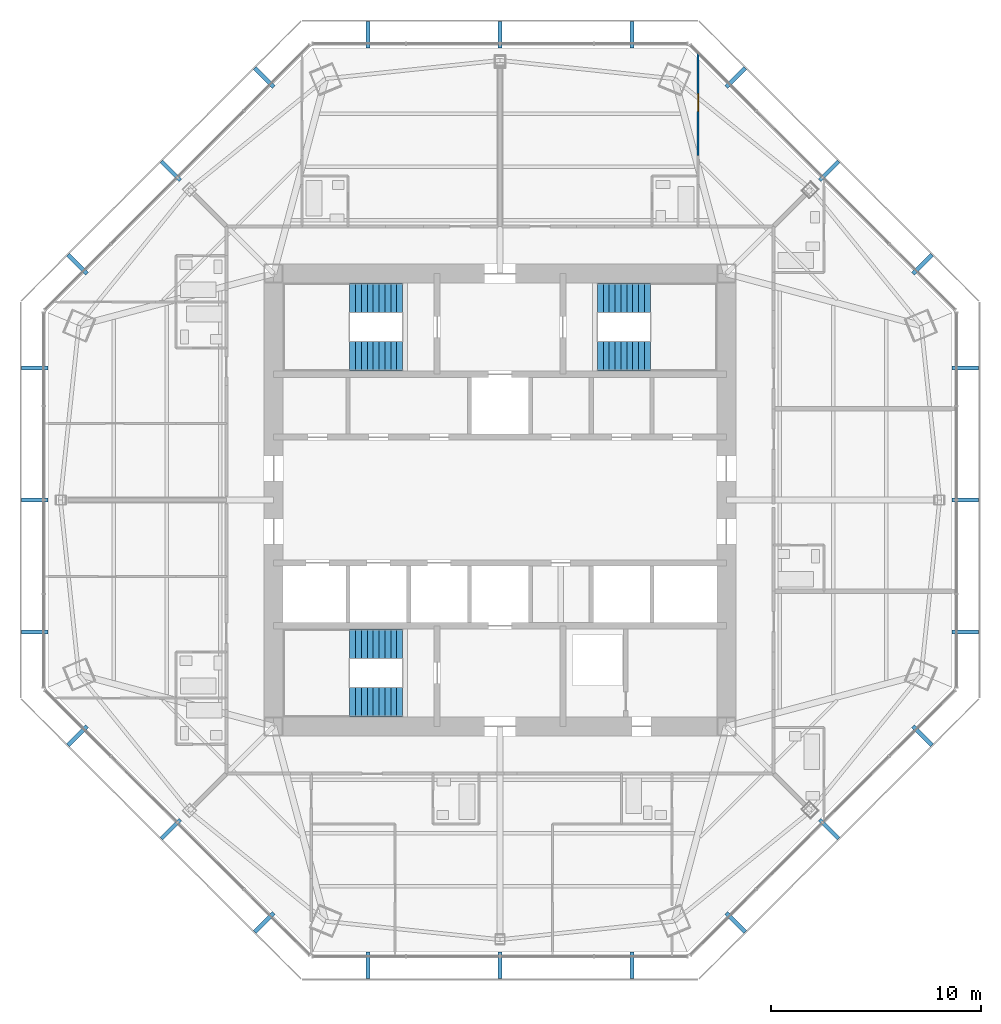
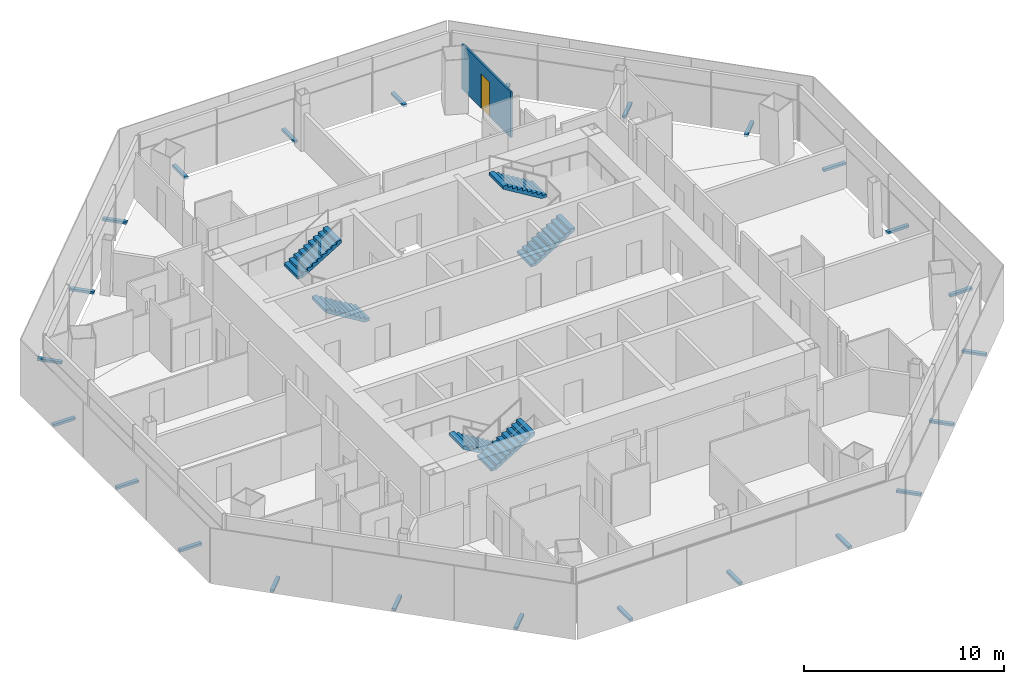
# One storey, part 13 of 15: 24 discrete accessories, 6 stair flights, 1 door, 1 wall, 1 opening, 3 elements without a shape of their own.
"""IFC4 building model written with IfcOpenShell, lengths in metres."""

from ifc_helpers import new_model, si_unit, direction, frame, frame_2d, origin, origin_2d, place, context, subcontext, project, spatial, polyline, rectangle, outline, extrude, source, transform, mapped, material, layer, layer_set, type_object, type_shapes, element, fill, aggregate, save


model = new_model("IFC4")

# Units and contexts
model_context = context("Model", 3, precision=1e-05, world=origin(), true_north=direction((0.0, 1.0)))
body_context = subcontext(model_context, "Body", "Model", "MODEL_VIEW")
ifc_project = project(units=[si_unit("LENGTHUNIT", "METRE"), si_unit("AREAUNIT", "SQUARE_METRE"), si_unit("VOLUMEUNIT", "CUBIC_METRE"), si_unit("PLANEANGLEUNIT", "RADIAN"), si_unit("MASSUNIT", "GRAM", prefix="KILO")], contexts=[model_context])

# Site, building, storey
site_placement = place(None, origin())
site = spatial("IfcSite", under=ifc_project, at=site_placement, CompositionType="ELEMENT")
building_placement = place(site_placement, origin())
building = spatial("IfcBuilding", under=site, at=building_placement, Name="Mashrafa Tower", CompositionType="ELEMENT")
storey_placement = place(building_placement, frame((0.0, 0.0, 221.0)))
storey = spatial("IfcBuildingStorey", under=building, at=storey_placement, Name="L51", CompositionType="ELEMENT", Elevation=221.0)

# Wall, opening, door
ifc_material_1 = material(Name="Gypsum board on steel studs", Category="steel")
ifc_layer = layer(ifc_material_1, 0.10009765625)
ifc_layer_set = layer_set([ifc_layer], Name="Partition 100")
wall_type = type_object("IfcWallType", Name="Partition 100", PredefinedType="PARTITIONING", material=ifc_layer_set)
wall_placement = place(storey_placement, frame((9.449951171875, 21.3056640625, 0.0), z_axis=(0.0, 0.0, 1.0), x_axis=(0.0, -1.0, 0.0)))
wall = element("IfcWall", 1, at=wall_placement, inside=storey, type_object=wall_type, Name="Partition wall L51-074", PredefinedType="PARTITIONING", context=body_context, shape_type="SweptSolid", body=[
    extrude(rectangle(XDim=4.885986328125, YDim=0.10009765625, at=frame_2d((2.44287109375, 0.0))), origin(), (0.0, 0.0, 1.0), 2.78369140625),
])
opening_placement = place(wall_placement, frame((1.9208984375, 0.0, 0.0)))
opening = element("IfcOpeningElement", 2, at=opening_placement, cuts=wall, Name="Opening 51.007", PredefinedType="OPENING", context=body_context, shape_type="SweptSolid", body=[
    extrude(rectangle(XDim=0.85009765625, YDim=2.10009765625, at=frame_2d((0.425048828125, 1.050048828125))), frame((0.0, 0.06005859375, 0.0), z_axis=(0.0, -1.0, 0.0), x_axis=(1.0, 0.0, 0.0)), (0.0, 0.0, 1.0), 0.1201171875),
])
ifc_material_2 = material(Name="Timber door", Category="wood")
door_type = type_object("IfcDoorType", Name="Bedroom door 850 x 2100", OperationType="USERDEFINED", PredefinedType="DOOR", material=ifc_material_2)
door_placement = place(opening_placement, origin())
door = element("IfcDoor", 3, at=door_placement, inside=storey, type_object=door_type, Name="Apartment 5104 Bedroom 1 door", OperationType="SINGLE_SWING_LEFT", OverallHeight=2.10009765625, OverallWidth=0.85009765625, PredefinedType="DOOR", context=body_context, shape_type="SweptSolid", body=[
    extrude(rectangle(XDim=0.85009765625, YDim=2.10009765625, at=frame_2d((0.425048828125, 1.050048828125))), frame((0.0, 0.02490234375, 0.0), z_axis=(0.0, -1.0, 0.0), x_axis=(1.0, 0.0, 0.0)), (0.0, 0.0, 1.0), 0.050048828125),
])
fill(opening, door)

# Stair, stair flights
ifc_material_3 = material(Name="Exit stair 1400")
stair_type = type_object("IfcStairType", Name="Exit stair 1400", PredefinedType="HALF_TURN_STAIR", material=ifc_material_3)
stair_1_placement = place(storey_placement, origin())
stair_1 = element("IfcStair", 4, at=stair_1_placement, inside=storey, type_object=stair_type, Name="Stair S1 L51", PredefinedType="HALF_TURN_STAIR")
ifc_material_4 = material(Name="Concrete C32/40", Category="concrete")
stair_flight_type = type_object("IfcStairFlightType", Name="Stair flight 1400", PredefinedType="STRAIGHT", material=ifc_material_4)
stair_flight_1_placement = place(storey_placement, frame((-4.64990234375, 6.85009765625, 0.0), z_axis=(0.0, 0.0, 1.0), x_axis=(-1.0, 0.0, 0.0)))
stair_flight_1 = element("IfcStairFlight", 5, at=stair_flight_1_placement, type_object=stair_flight_type, Name="S1 flight 1", NumberOfRisers=10, NumberOfTreads=9, PredefinedType="STRAIGHT", RiserHeight=0.17, TreadLength=0.28, context=body_context, shape_type="SweptSolid", body=[
    extrude(outline(polyline([(0.0, 0.0), (0.0, 0.169921875), (0.280029296875, 0.169921875), (0.280029296875, 0.340087890625), (0.56005859375, 0.340087890625), (0.56005859375, 0.510009765625), (0.840087890625, 0.510009765625), (0.840087890625, 0.679931640625), (1.1201171875, 0.679931640625), (1.1201171875, 0.85009765625), (1.39990234375, 0.85009765625), (1.39990234375, 1.02001953125), (1.679931640625, 1.02001953125), (1.679931640625, 1.18994140625), (1.9599609375, 1.18994140625), (1.9599609375, 1.360107421875), (2.239990234375, 1.360107421875), (2.239990234375, 1.530029296875), (2.52001953125, 1.530029296875), (2.52001953125, 1.699951171875), (2.52001953125, 1.354736328125), (0.288818359375, 0.0), (0.0, 0.0)])), frame((0.0, 0.699951171875, 0.0), z_axis=(0.0, -1.0, 0.0), x_axis=(1.0, 0.0, 0.0)), (0.0, 0.0, 1.0), 1.39990234375),
])
stair_flight_2_placement = place(storey_placement, frame((-7.169921875, 9.64990234375, 1.699951171875), z_axis=(0.0, 0.0, 1.0), x_axis=(1.0, 0.0, 0.0)))
stair_flight_2 = element("IfcStairFlight", 6, at=stair_flight_2_placement, type_object=stair_flight_type, Name="S1 flight 2", NumberOfRisers=10, NumberOfTreads=9, PredefinedType="STRAIGHT", RiserHeight=0.17, TreadLength=0.28, context=body_context, shape_type="SweptSolid", body=[
    extrude(outline(polyline([(0.0, 0.0), (0.0, 0.169921875), (0.280029296875, 0.169921875), (0.280029296875, 0.340087890625), (0.56005859375, 0.340087890625), (0.56005859375, 0.510009765625), (0.840087890625, 0.510009765625), (0.840087890625, 0.679931640625), (1.1201171875, 0.679931640625), (1.1201171875, 0.85009765625), (1.39990234375, 0.85009765625), (1.39990234375, 1.02001953125), (1.679931640625, 1.02001953125), (1.679931640625, 1.18994140625), (1.9599609375, 1.18994140625), (1.9599609375, 1.360107421875), (2.239990234375, 1.360107421875), (2.239990234375, 1.530029296875), (2.52001953125, 1.530029296875), (2.52001953125, 1.699951171875), (2.52001953125, 1.354736328125), (0.288818359375, 0.0), (0.0, 0.0)])), frame((0.0, 0.699951171875, 0.0), z_axis=(0.0, -1.0, 0.0), x_axis=(1.0, 0.0, 0.0)), (0.0, 0.0, 1.0), 1.39990234375),
])
aggregate(stair_1, [stair_flight_1, stair_flight_2])

stair_2_placement = place(storey_placement, origin())
stair_2 = element("IfcStair", 7, at=stair_2_placement, inside=storey, type_object=stair_type, Name="Stair S2 L51", PredefinedType="HALF_TURN_STAIR")
stair_flight_3_placement = place(storey_placement, frame((4.64990234375, 6.85009765625, 0.0), z_axis=(0.0, 0.0, 1.0), x_axis=(1.0, 0.0, 0.0)))
stair_flight_3 = element("IfcStairFlight", 8, at=stair_flight_3_placement, type_object=stair_flight_type, Name="S2 flight 1", NumberOfRisers=10, NumberOfTreads=9, PredefinedType="STRAIGHT", RiserHeight=0.17, TreadLength=0.28, context=body_context, shape_type="SweptSolid", body=[
    extrude(outline(polyline([(0.0, 0.0), (0.0, 0.169921875), (0.280029296875, 0.169921875), (0.280029296875, 0.340087890625), (0.56005859375, 0.340087890625), (0.56005859375, 0.510009765625), (0.840087890625, 0.510009765625), (0.840087890625, 0.679931640625), (1.1201171875, 0.679931640625), (1.1201171875, 0.85009765625), (1.39990234375, 0.85009765625), (1.39990234375, 1.02001953125), (1.679931640625, 1.02001953125), (1.679931640625, 1.18994140625), (1.9599609375, 1.18994140625), (1.9599609375, 1.360107421875), (2.239990234375, 1.360107421875), (2.239990234375, 1.530029296875), (2.52001953125, 1.530029296875), (2.52001953125, 1.699951171875), (2.52001953125, 1.354736328125), (0.288818359375, 0.0), (0.0, 0.0)])), frame((0.0, 0.699951171875, 0.0), z_axis=(0.0, -1.0, 0.0), x_axis=(1.0, 0.0, 0.0)), (0.0, 0.0, 1.0), 1.39990234375),
])
stair_flight_4_placement = place(storey_placement, frame((7.169921875, 9.64990234375, 1.699951171875), z_axis=(0.0, 0.0, 1.0), x_axis=(-1.0, 0.0, 0.0)))
stair_flight_4 = element("IfcStairFlight", 9, at=stair_flight_4_placement, type_object=stair_flight_type, Name="S2 flight 2", NumberOfRisers=10, NumberOfTreads=9, PredefinedType="STRAIGHT", RiserHeight=0.17, TreadLength=0.28, context=body_context, shape_type="SweptSolid", body=[
    extrude(outline(polyline([(0.0, 0.0), (0.0, 0.169921875), (0.280029296875, 0.169921875), (0.280029296875, 0.340087890625), (0.56005859375, 0.340087890625), (0.56005859375, 0.510009765625), (0.840087890625, 0.510009765625), (0.840087890625, 0.679931640625), (1.1201171875, 0.679931640625), (1.1201171875, 0.85009765625), (1.39990234375, 0.85009765625), (1.39990234375, 1.02001953125), (1.679931640625, 1.02001953125), (1.679931640625, 1.18994140625), (1.9599609375, 1.18994140625), (1.9599609375, 1.360107421875), (2.239990234375, 1.360107421875), (2.239990234375, 1.530029296875), (2.52001953125, 1.530029296875), (2.52001953125, 1.699951171875), (2.52001953125, 1.354736328125), (0.288818359375, 0.0), (0.0, 0.0)])), frame((0.0, 0.699951171875, 0.0), z_axis=(0.0, -1.0, 0.0), x_axis=(1.0, 0.0, 0.0)), (0.0, 0.0, 1.0), 1.39990234375),
])
aggregate(stair_2, [stair_flight_3, stair_flight_4])

stair_3_placement = place(storey_placement, origin())
stair_3 = element("IfcStair", 10, at=stair_3_placement, inside=storey, type_object=stair_type, Name="Stair S3 L51", PredefinedType="HALF_TURN_STAIR")
stair_flight_5_placement = place(storey_placement, frame((-4.64990234375, -6.85009765625, 0.0), z_axis=(0.0, 0.0, 1.0), x_axis=(-1.0, 0.0, 0.0)))
stair_flight_5 = element("IfcStairFlight", 11, at=stair_flight_5_placement, type_object=stair_flight_type, Name="S3 flight 1", NumberOfRisers=10, NumberOfTreads=9, PredefinedType="STRAIGHT", RiserHeight=0.17, TreadLength=0.28, context=body_context, shape_type="SweptSolid", body=[
    extrude(outline(polyline([(0.0, 0.0), (0.0, 0.169921875), (0.280029296875, 0.169921875), (0.280029296875, 0.340087890625), (0.56005859375, 0.340087890625), (0.56005859375, 0.510009765625), (0.840087890625, 0.510009765625), (0.840087890625, 0.679931640625), (1.1201171875, 0.679931640625), (1.1201171875, 0.85009765625), (1.39990234375, 0.85009765625), (1.39990234375, 1.02001953125), (1.679931640625, 1.02001953125), (1.679931640625, 1.18994140625), (1.9599609375, 1.18994140625), (1.9599609375, 1.360107421875), (2.239990234375, 1.360107421875), (2.239990234375, 1.530029296875), (2.52001953125, 1.530029296875), (2.52001953125, 1.699951171875), (2.52001953125, 1.354736328125), (0.288818359375, 0.0), (0.0, 0.0)])), frame((0.0, 0.699951171875, 0.0), z_axis=(0.0, -1.0, 0.0), x_axis=(1.0, 0.0, 0.0)), (0.0, 0.0, 1.0), 1.39990234375),
])
stair_flight_6_placement = place(storey_placement, frame((-7.169921875, -9.64990234375, 1.699951171875), z_axis=(0.0, 0.0, 1.0), x_axis=(1.0, 0.0, 0.0)))
stair_flight_6 = element("IfcStairFlight", 12, at=stair_flight_6_placement, type_object=stair_flight_type, Name="S3 flight 2", NumberOfRisers=10, NumberOfTreads=9, PredefinedType="STRAIGHT", RiserHeight=0.17, TreadLength=0.28, context=body_context, shape_type="SweptSolid", body=[
    extrude(outline(polyline([(0.0, 0.0), (0.0, 0.169921875), (0.280029296875, 0.169921875), (0.280029296875, 0.340087890625), (0.56005859375, 0.340087890625), (0.56005859375, 0.510009765625), (0.840087890625, 0.510009765625), (0.840087890625, 0.679931640625), (1.1201171875, 0.679931640625), (1.1201171875, 0.85009765625), (1.39990234375, 0.85009765625), (1.39990234375, 1.02001953125), (1.679931640625, 1.02001953125), (1.679931640625, 1.18994140625), (1.9599609375, 1.18994140625), (1.9599609375, 1.360107421875), (2.239990234375, 1.360107421875), (2.239990234375, 1.530029296875), (2.52001953125, 1.530029296875), (2.52001953125, 1.699951171875), (2.52001953125, 1.354736328125), (0.288818359375, 0.0), (0.0, 0.0)])), frame((0.0, 0.699951171875, 0.0), z_axis=(0.0, -1.0, 0.0), x_axis=(1.0, 0.0, 0.0)), (0.0, 0.0, 1.0), 1.39990234375),
])
aggregate(stair_3, [stair_flight_5, stair_flight_6])

# Discrete accessories
ifc_material_5 = material(Name="Stainless steel screen bracket", Category="steel")
discrete_accessory_type = type_object("IfcDiscreteAccessoryType", Name="Screen support bracket 200 x 150", PredefinedType="BRACKET", material=ifc_material_5)
shared_shape = source(origin(), body_context, "Body", "SweptSolid", [
    extrude(rectangle(XDim=0.199951171875, YDim=1.27001953125, at=origin_2d()), origin(), (0.0, 0.0, 1.0), 0.14990234375),
])
type_shapes(discrete_accessory_type, [shared_shape])
for number, where, z_axis, x_axis, name in (
    (13, (22.197998046875, -6.298583984375, -0.14990234375), (0.0, 0.0, 1.0), (0.0, 1.0, 0.0), "Screen support bracket L51 east 1"),
    (14, (22.197998046875, 0.0, -0.14990234375), (0.0, 0.0, 1.0), (0.0, 1.0, 0.0), "Screen support bracket L51 east 2"),
    (15, (22.197998046875, 6.298583984375, -0.14990234375), (0.0, 0.0, 1.0), (0.0, 1.0, 0.0), "Screen support bracket L51 east 3"),
    (16, (20.14990234375, 11.24267578125, -0.14990234375), (0.0, 0.0, 1.0), (-0.707106781187, 0.707106781187, 0.0), "Screen support bracket L51 north-east 1"),
    (17, (15.6962890625, 15.6962890625, -0.14990234375), (0.0, 0.0, 1.0), (-0.707106781187, 0.707106781187, 0.0), "Screen support bracket L51 north-east 2"),
    (18, (11.24267578125, 20.14990234375, -0.14990234375), (0.0, 0.0, 1.0), (-0.707106781187, 0.707106781187, 0.0), "Screen support bracket L51 north-east 3"),
    (19, (6.298583984375, 22.197998046875, -0.14990234375), (0.0, 0.0, 1.0), (-1.0, 0.0, 0.0), "Screen support bracket L51 north 1"),
    (20, (0.0, 22.197998046875, -0.14990234375), (0.0, 0.0, 1.0), (-1.0, 0.0, 0.0), "Screen support bracket L51 north 2"),
    (21, (-6.298583984375, 22.197998046875, -0.14990234375), (0.0, 0.0, 1.0), (-1.0, 0.0, 0.0), "Screen support bracket L51 north 3"),
    (22, (-11.24267578125, 20.14990234375, -0.14990234375), (0.0, 0.0, 1.0), (-0.707106781187, -0.707106781187, 0.0), "Screen support bracket L51 north-west 1"),
    (23, (-15.6962890625, 15.6962890625, -0.14990234375), (0.0, 0.0, 1.0), (-0.707106781187, -0.707106781187, 0.0), "Screen support bracket L51 north-west 2"),
    (24, (-20.14990234375, 11.24267578125, -0.14990234375), (0.0, 0.0, 1.0), (-0.707106781187, -0.707106781187, 0.0), "Screen support bracket L51 north-west 3"),
    (25, (-22.197998046875, 6.298583984375, -0.14990234375), (0.0, 0.0, 1.0), (0.0, -1.0, 0.0), "Screen support bracket L51 west 1"),
    (26, (-22.197998046875, 0.0, -0.14990234375), (0.0, 0.0, 1.0), (0.0, -1.0, 0.0), "Screen support bracket L51 west 2"),
    (27, (-22.197998046875, -6.298583984375, -0.14990234375), (0.0, 0.0, 1.0), (0.0, -1.0, 0.0), "Screen support bracket L51 west 3"),
    (28, (-20.14990234375, -11.24267578125, -0.14990234375), (0.0, 0.0, 1.0), (0.707106781187, -0.707106781187, 0.0), "Screen support bracket L51 south-west 1"),
    (29, (-15.6962890625, -15.6962890625, -0.14990234375), (0.0, 0.0, 1.0), (0.707106781187, -0.707106781187, 0.0), "Screen support bracket L51 south-west 2"),
    (30, (-11.24267578125, -20.14990234375, -0.14990234375), (0.0, 0.0, 1.0), (0.707106781187, -0.707106781187, 0.0), "Screen support bracket L51 south-west 3"),
    (31, (-6.298583984375, -22.197998046875, -0.14990234375), (0.0, 0.0, 1.0), (1.0, 0.0, 0.0), "Screen support bracket L51 south 1"),
    (32, (0.0, -22.197998046875, -0.14990234375), (0.0, 0.0, 1.0), (1.0, 0.0, 0.0), "Screen support bracket L51 south 2"),
    (33, (6.298583984375, -22.197998046875, -0.14990234375), (0.0, 0.0, 1.0), (1.0, 0.0, 0.0), "Screen support bracket L51 south 3"),
    (34, (11.24267578125, -20.14990234375, -0.14990234375), (0.0, 0.0, 1.0), (0.707106781187, 0.707106781187, 0.0), "Screen support bracket L51 south-east 1"),
    (35, (15.6962890625, -15.6962890625, -0.14990234375), (0.0, 0.0, 1.0), (0.707106781187, 0.707106781187, 0.0), "Screen support bracket L51 south-east 2"),
    (36, (20.14990234375, -11.24267578125, -0.14990234375), (0.0, 0.0, 1.0), (0.707106781187, 0.707106781187, 0.0), "Screen support bracket L51 south-east 3"),
):
    element("IfcDiscreteAccessory", number, at=place(storey_placement, frame(where, z_axis=z_axis, x_axis=x_axis)), inside=storey, type_object=discrete_accessory_type, Name=name, PredefinedType="BRACKET", context=body_context, shape_type="MappedRepresentation", body=[
        mapped(shared_shape, transform((0.0, 0.0, 0.0))),
    ])

save(model, "model.ifc")
